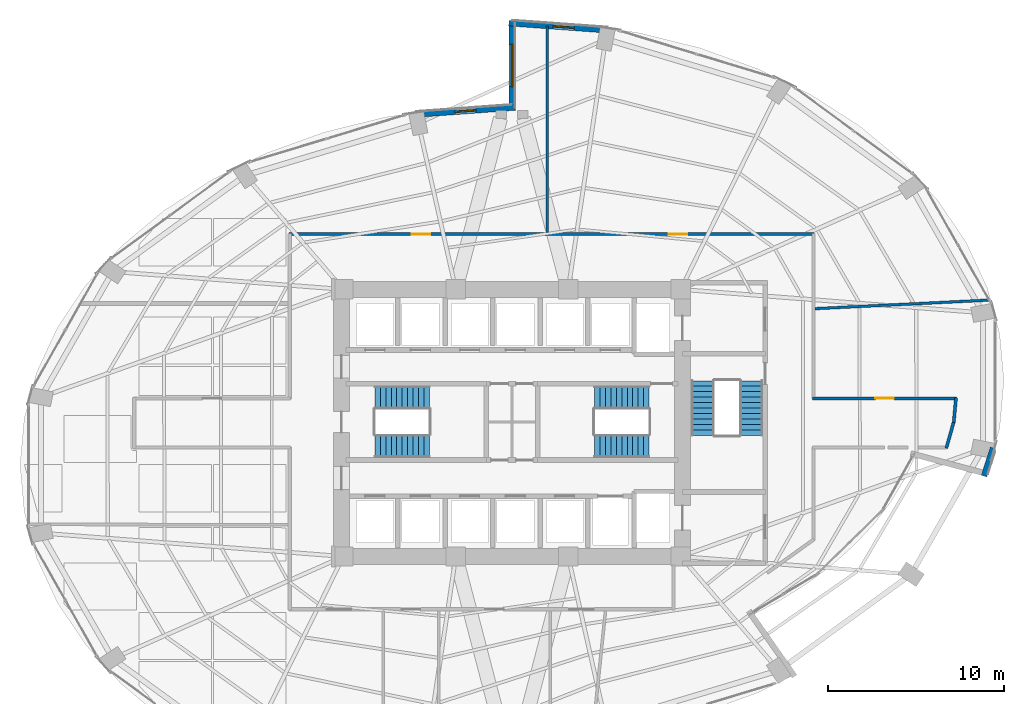
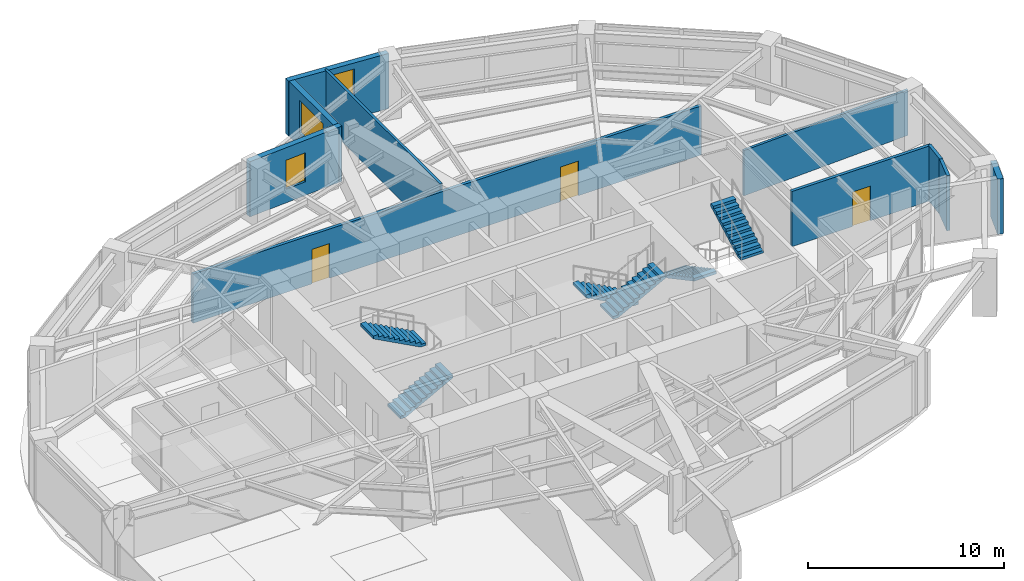
# One storey, part 22 of 24: 10 walls, 6 stair flights, 3 doors, 3 windows, 6 openings, 3 elements without a shape of their own.
"""IFC4 building model written with IfcOpenShell, lengths in metres."""

from ifc_helpers import new_model, si_unit, direction, frame, frame_2d, origin, place, context, subcontext, project, spatial, polyline, rectangle, outline, extrude, material, layer, layer_set, type_object, element, fill, aggregate, save


model = new_model("IFC4")

# Units and contexts
model_context = context("Model", 3, precision=1e-05, world=origin(), true_north=direction((0.0, 1.0)))
body_context = subcontext(model_context, "Body", "Model", "MODEL_VIEW")
ifc_project = project(units=[si_unit("LENGTHUNIT", "METRE"), si_unit("AREAUNIT", "SQUARE_METRE"), si_unit("VOLUMEUNIT", "CUBIC_METRE"), si_unit("PLANEANGLEUNIT", "RADIAN"), si_unit("MASSUNIT", "GRAM", prefix="KILO")], contexts=[model_context])

# Site, building, storey
site_placement = place(None, origin())
site = spatial("IfcSite", under=ifc_project, at=site_placement, CompositionType="ELEMENT")
building_placement = place(site_placement, origin())
building = spatial("IfcBuilding", under=site, at=building_placement, Name="Lazwardi Medical Tower", CompositionType="ELEMENT")
storey_placement = place(building_placement, frame((0.0, 0.0, 65.327880859375)))
storey = spatial("IfcBuildingStorey", under=building, at=storey_placement, Name="L16", CompositionType="ELEMENT", Elevation=65.327880859375)

# Wall, openings, doors
ifc_material_1 = material(Name="Fire-rated gypsum board on steel stud", Category="steel")
ifc_layer_1 = layer(ifc_material_1, 0.179931640625)
ifc_layer_set_1 = layer_set([ifc_layer_1], Name="Fire-rated gypsum board on steel stud")
wall_type_1 = type_object("IfcWallType", Name="WL-COR-180", PredefinedType="PARTITIONING", material=ifc_layer_set_1)
wall_1_placement = place(storey_placement, frame((23.31005859375, 38.75, 0.0), z_axis=(0.0, 0.0, 1.0), x_axis=(1.0, 0.0, 0.0)))
wall_1 = element("IfcWall", 1, at=wall_1_placement, inside=storey, type_object=wall_type_1, Name="L16 Corridor partition 4", PredefinedType="PARTITIONING", context=body_context, shape_type="SweptSolid", body=[
    extrude(rectangle(XDim=29.8798828125, YDim=0.179931640625, at=frame_2d((14.93994140625, 0.0))), origin(), (0.0, 0.0, 1.0), 3.05322265625),
])
opening_1_placement = place(wall_1_placement, frame((21.60107421875, 0.0, 0.0)))
opening_1 = element("IfcOpeningElement", 2, at=opening_1_placement, cuts=wall_1, Name="Opening D-L16-014", PredefinedType="OPENING", context=body_context, shape_type="SweptSolid", body=[
    extrude(rectangle(XDim=1.050048828125, YDim=2.14990234375, at=frame_2d((0.52490234375, 1.074951171875))), frame((0.0, 0.099853515625, 0.0), z_axis=(0.0, -1.0, 0.0), x_axis=(1.0, 0.0, 0.0)), (0.0, 0.0, 1.0), 0.199951171875),
])
opening_2_placement = place(wall_1_placement, frame((6.97900390625, 0.0, 0.0)))
opening_2 = element("IfcOpeningElement", 3, at=opening_2_placement, cuts=wall_1, Name="Opening D-L16-015", PredefinedType="OPENING", context=body_context, shape_type="SweptSolid", body=[
    extrude(rectangle(XDim=1.050048828125, YDim=2.14990234375, at=frame_2d((0.52490234375, 1.074951171875))), frame((0.0, 0.099853515625, 0.0), z_axis=(0.0, -1.0, 0.0), x_axis=(1.0, 0.0, 0.0)), (0.0, 0.0, 1.0), 0.199951171875),
])
ifc_material_2 = material(Name="Anti-microbial laminate hospital leaf")
door_type = type_object("IfcDoorType", Name="DR-CLN-1050", OperationType="NOTDEFINED", PredefinedType="DOOR", material=ifc_material_2)
door_1_placement = place(opening_1_placement, origin())
door_1 = element("IfcDoor", 4, at=door_1_placement, inside=storey, type_object=door_type, Name="L16 Clinical Specialist Office Door 06", OperationType="SINGLE_SWING_RIGHT", OverallHeight=2.14990234375, OverallWidth=1.050048828125, PredefinedType="DOOR", context=body_context, shape_type="SweptSolid", body=[
    extrude(rectangle(XDim=1.050048828125, YDim=2.14990234375, at=frame_2d((0.52490234375, 1.074951171875))), frame((0.0, 0.02490234375, 0.0), z_axis=(0.0, -1.0, 0.0), x_axis=(1.0, 0.0, 0.0)), (0.0, 0.0, 1.0), 0.050048828125),
])
fill(opening_1, door_1)
door_2_placement = place(opening_2_placement, origin())
door_2 = element("IfcDoor", 5, at=door_2_placement, inside=storey, type_object=door_type, Name="L16 Clinical Specialist Office Door 07", OperationType="SINGLE_SWING_LEFT", OverallHeight=2.14990234375, OverallWidth=1.050048828125, PredefinedType="DOOR", context=body_context, shape_type="SweptSolid", body=[
    extrude(rectangle(XDim=1.050048828125, YDim=2.14990234375, at=frame_2d((0.52490234375, 1.074951171875))), frame((0.0, 0.02490234375, 0.0), z_axis=(0.0, -1.0, 0.0), x_axis=(1.0, 0.0, 0.0)), (0.0, 0.0, 1.0), 0.050048828125),
])
fill(opening_2, door_2)

# Wall, opening, door
wall_2_placement = place(storey_placement, frame((53.110107421875, 29.39990234375, 0.0), z_axis=(0.0, 0.0, 1.0), x_axis=(1.0, 0.0, 0.0)))
wall_2 = element("IfcWall", 6, at=wall_2_placement, inside=storey, type_object=wall_type_1, Name="L16 Corridor partition 6", PredefinedType="PARTITIONING", context=body_context, shape_type="SweptSolid", body=[
    extrude(rectangle(XDim=8.19677734375, YDim=0.179931640625, at=frame_2d((4.098388671875, 0.0))), origin(), (0.0, 0.0, 1.0), 3.42822265625),
])
opening_3_placement = place(wall_2_placement, frame((3.573486328125, 0.0, 0.0)))
opening_3 = element("IfcOpeningElement", 7, at=opening_3_placement, cuts=wall_2, Name="Opening D-L16-013", PredefinedType="OPENING", context=body_context, shape_type="SweptSolid", body=[
    extrude(rectangle(XDim=1.050048828125, YDim=2.14990234375, at=frame_2d((0.52490234375, 1.074951171875))), frame((0.0, 0.099853515625, 0.0), z_axis=(0.0, -1.0, 0.0), x_axis=(1.0, 0.0, 0.0)), (0.0, 0.0, 1.0), 0.199951171875),
])
door_3_placement = place(opening_3_placement, origin())
door_3 = element("IfcDoor", 8, at=door_3_placement, inside=storey, type_object=door_type, Name="L16 Clinical Specialist Office Door 05", OperationType="SINGLE_SWING_LEFT", OverallHeight=2.14990234375, OverallWidth=1.050048828125, PredefinedType="DOOR", context=body_context, shape_type="SweptSolid", body=[
    extrude(rectangle(XDim=1.050048828125, YDim=2.14990234375, at=frame_2d((0.52490234375, 1.074951171875))), frame((0.0, 0.02490234375, 0.0), z_axis=(0.0, -1.0, 0.0), x_axis=(1.0, 0.0, 0.0)), (0.0, 0.0, 1.0), 0.050048828125),
])
fill(opening_3, door_3)

# Walls
wall_3_placement = place(storey_placement, frame((61.2705078125, 29.439697265625, 0.0), z_axis=(0.0, 0.0, 1.0), x_axis=(-0.092539930621, -0.995708974169, 0.0)))
element("IfcWall", 9, at=wall_3_placement, inside=storey, type_object=wall_type_1, Name="L16 Corridor partition 7", PredefinedType="PARTITIONING", context=body_context, shape_type="SweptSolid", body=[
    extrude(rectangle(XDim=1.416748046875, YDim=0.179931640625, at=frame_2d((0.70849609375, 0.0))), origin(), (0.0, 0.0, 1.0), 3.42822265625),
])
wall_4_placement = place(storey_placement, frame((61.15380859375, 28.107421875, 0.0), z_axis=(0.0, 0.0, 1.0), x_axis=(-0.271748942561, -0.962368179138, 0.0)))
element("IfcWall", 10, at=wall_4_placement, inside=storey, type_object=wall_type_1, Name="L16 Corridor partition 8", PredefinedType="PARTITIONING", context=body_context, shape_type="SweptSolid", body=[
    extrude(rectangle(XDim=1.6064453125, YDim=0.179931640625, at=frame_2d((0.80322265625, 0.0))), origin(), (0.0, 0.0, 1.0), 3.42822265625),
])

# Wall, opening, window
ifc_material_3 = material(Name="Precast concrete C45/55", Category="concrete")
ifc_layer_2 = layer(ifc_material_3, 0.320068359375)
ifc_layer_set_2 = layer_set([ifc_layer_2], Name="Precast concrete C45/55")
wall_type_2 = type_object("IfcWallType", Name="WL-IWAN-320", PredefinedType="SOLIDWALL", material=ifc_layer_set_2)
wall_5_placement = place(storey_placement, frame((41.481201171875, 50.345703125, 0.0), z_axis=(0.0, 0.0, 1.0), x_axis=(-0.997422321809, 0.071754525696, 0.0)))
wall_5 = element("IfcWall", 11, at=wall_5_placement, inside=storey, type_object=wall_type_2, Name="L16 Iwan Portal Return Wall NE_ret", PredefinedType="SOLIDWALL", context=body_context, shape_type="SweptSolid", body=[
    extrude(rectangle(XDim=5.67529296875, YDim=0.320068359375, at=frame_2d((2.837646484375, 0.0))), origin(), (0.0, 0.0, 1.0), 3.42822265625),
])
opening_4_placement = place(wall_5_placement, frame((1.94921875, 0.0, 0.85009765625)))
opening_4 = element("IfcOpeningElement", 12, at=opening_4_placement, cuts=wall_5, Name="Opening WN-01", PredefinedType="OPENING", context=body_context, shape_type="SweptSolid", body=[
    extrude(rectangle(XDim=1.199951171875, YDim=2.199951171875, at=frame_2d((0.60009765625, 1.10009765625))), frame((0.0, 0.169921875, 0.0), z_axis=(0.0, -1.0, 0.0), x_axis=(1.0, 0.0, 0.0)), (0.0, 0.0, 1.0), 0.340087890625),
])
ifc_material_4 = material(Name="Low-e bronze solar control double glazing", Category="glass")
window_type_1 = type_object("IfcWindowType", Name="WIN-IW-1200", PartitioningType="SINGLE_PANEL", PredefinedType="WINDOW", material=ifc_material_4)
window_1_placement = place(opening_4_placement, origin())
window_1 = element("IfcWindow", 13, at=window_1_placement, inside=storey, type_object=window_type_1, Name="L16 Iwan Slot Window NE_ret", OverallHeight=2.199951171875, OverallWidth=1.199951171875, PartitioningType="SINGLE_PANEL", PredefinedType="WINDOW", context=body_context, shape_type="SweptSolid", body=[
    extrude(rectangle(XDim=1.199951171875, YDim=2.199951171875, at=frame_2d((0.60009765625, 1.10009765625))), frame((0.0, 0.030029296875, 0.0), z_axis=(0.0, -1.0, 0.0), x_axis=(1.0, 0.0, 0.0)), (0.0, 0.0, 1.0), 0.06005859375),
])
fill(opening_4, window_1)

wall_6_placement = place(storey_placement, frame((36.178955078125, 45.952880859375, 0.0), z_axis=(0.0, 0.0, 1.0), x_axis=(-0.997421878774, -0.071760683825, 0.0)))
wall_6 = element("IfcWall", 14, at=wall_6_placement, inside=storey, type_object=wall_type_2, Name="L16 Iwan Portal Return Wall NW_ret", PredefinedType="SOLIDWALL", context=body_context, shape_type="SweptSolid", body=[
    extrude(rectangle(XDim=5.6748046875, YDim=0.320068359375, at=frame_2d((2.83740234375, 0.0))), origin(), (0.0, 0.0, 1.0), 3.42822265625),
])
opening_5_placement = place(wall_6_placement, frame((2.2373046875, 0.0, 0.85009765625)))
opening_5 = element("IfcOpeningElement", 15, at=opening_5_placement, cuts=wall_6, Name="Opening WN-04", PredefinedType="OPENING", context=body_context, shape_type="SweptSolid", body=[
    extrude(rectangle(XDim=1.199951171875, YDim=1.800048828125, at=frame_2d((0.60009765625, 0.89990234375))), frame((0.0, 0.169921875, 0.0), z_axis=(0.0, -1.0, 0.0), x_axis=(1.0, 0.0, 0.0)), (0.0, 0.0, 1.0), 0.340087890625),
])
window_type_2 = type_object("IfcWindowType", Name="WIN-DRUM-1200", PartitioningType="SINGLE_PANEL", PredefinedType="WINDOW", material=ifc_material_4)
window_2_placement = place(opening_5_placement, origin())
window_2 = element("IfcWindow", 16, at=window_2_placement, inside=storey, type_object=window_type_2, Name="L16 Iwan Slot Window NW_ret", OverallHeight=1.800048828125, OverallWidth=1.199951171875, PartitioningType="SINGLE_PANEL", PredefinedType="WINDOW", context=body_context, shape_type="SweptSolid", body=[
    extrude(rectangle(XDim=1.199951171875, YDim=1.800048828125, at=frame_2d((0.60009765625, 0.89990234375))), frame((0.0, 0.030029296875, 0.0), z_axis=(0.0, -1.0, 0.0), x_axis=(1.0, 0.0, 0.0)), (0.0, 0.0, 1.0), 0.06005859375),
])
fill(opening_5, window_2)

wall_7_placement = place(storey_placement, frame((36.0, 50.89990234375, 0.0), z_axis=(0.0, 0.0, 1.0), x_axis=(0.0, -1.0, 0.0)))
wall_7 = element("IfcWall", 17, at=wall_7_placement, inside=storey, type_object=wall_type_2, Name="L16 Turquoise Tilework Iwan Seam Wall N_seam", PredefinedType="SOLIDWALL", context=body_context, shape_type="SweptSolid", body=[
    extrude(rectangle(XDim=5.119873046875, YDim=0.320068359375, at=frame_2d((2.56005859375, 0.0))), origin(), (0.0, 0.0, 1.0), 3.42822265625),
])
opening_6_placement = place(wall_7_placement, frame((1.360107421875, 0.0, 0.840087890625)))
opening_6 = element("IfcOpeningElement", 18, at=opening_6_placement, cuts=wall_7, Name="Opening WN-02", PredefinedType="OPENING", context=body_context, shape_type="SweptSolid", body=[
    extrude(rectangle(XDim=2.39990234375, YDim=2.0400390625, at=frame_2d((1.199951171875, 1.02001953125))), frame((0.0, 0.169921875, 0.0), z_axis=(0.0, -1.0, 0.0), x_axis=(1.0, 0.0, 0.0)), (0.0, 0.0, 1.0), 0.340087890625),
])
window_type_3 = type_object("IfcWindowType", Name="WIN-IW-2400", PartitioningType="SINGLE_PANEL", PredefinedType="WINDOW", material=ifc_material_4)
window_3_placement = place(opening_6_placement, origin())
window_3 = element("IfcWindow", 19, at=window_3_placement, inside=storey, type_object=window_type_3, Name="L16 Iwan Seam Window N_seam", OverallHeight=2.0400390625, OverallWidth=2.39990234375, PartitioningType="SINGLE_PANEL", PredefinedType="WINDOW", context=body_context, shape_type="SweptSolid", body=[
    extrude(rectangle(XDim=2.39990234375, YDim=2.0400390625, at=frame_2d((1.199951171875, 1.02001953125))), frame((0.0, 0.030029296875, 0.0), z_axis=(0.0, -1.0, 0.0), x_axis=(1.0, 0.0, 0.0)), (0.0, 0.0, 1.0), 0.06005859375),
])
fill(opening_6, window_3)

# Walls
wall_8_placement = place(storey_placement, frame((62.862060546875, 24.97802734375, 0.0), z_axis=(0.0, 0.0, 1.0), x_axis=(0.303964491771, 0.952683361743, 0.0)))
element("IfcWall", 20, at=wall_8_placement, inside=storey, type_object=wall_type_2, Name="L16 Sky Garden SG1 Jamb Return Wall", PredefinedType="SOLIDWALL", context=body_context, shape_type="SweptSolid", body=[
    extrude(rectangle(XDim=1.681884765625, YDim=0.320068359375, at=frame_2d((0.8408203125, 0.0))), origin(), (0.0, 0.0, 1.0), 3.42822265625),
])
ifc_material_5 = material(Name="Acoustic gypsum board partition")
ifc_layer_3 = layer(ifc_material_5, 0.14990234375)
ifc_layer_set_3 = layer_set([ifc_layer_3], Name="Acoustic gypsum board partition")
wall_type_3 = type_object("IfcWallType", Name="WL-WRD-150", PredefinedType="PARTITIONING", material=ifc_layer_set_3)
wall_9_placement = place(storey_placement, frame((53.239990234375, 34.503662109375, 0.0), z_axis=(0.0, 0.0, 1.0), x_axis=(0.998798003682, 0.049015791742, 0.0)))
element("IfcWall", 21, at=wall_9_placement, inside=storey, type_object=wall_type_3, Name="L16 Room partition 3", PredefinedType="PARTITIONING", context=body_context, shape_type="SweptSolid", body=[
    extrude(rectangle(XDim=9.94677734375, YDim=0.14990234375, at=frame_2d((4.973388671875, 0.0))), origin(), (0.0, 0.0, 1.0), 2.813232421875),
])
wall_10_placement = place(storey_placement, frame((38.0, 38.840087890625, 0.0), z_axis=(0.0, 0.0, 1.0), x_axis=(0.0, 1.0, 0.0)))
element("IfcWall", 22, at=wall_10_placement, inside=storey, type_object=wall_type_3, Name="L16 Room partition 4", PredefinedType="PARTITIONING", context=body_context, shape_type="SweptSolid", body=[
    extrude(rectangle(XDim=11.743408203125, YDim=0.14990234375, at=frame_2d((5.87158203125, 0.0))), origin(), (0.0, 0.0, 1.0), 3.42822265625),
])

# Stair, stair flights
ifc_material_6 = material(Name="Concrete C45/55", Category="concrete")
stair_type = type_object("IfcStairType", Name="STR-WRD", PredefinedType="HALF_TURN_STAIR", material=ifc_material_6)
stair_1_placement = place(storey_placement, origin())
stair_1 = element("IfcStair", 23, at=stair_1_placement, inside=storey, type_object=stair_type, Name="L16 Protected Exit Stair ST1", PredefinedType="HALF_TURN_STAIR")
stair_flight_type = type_object("IfcStairFlightType", Name="FLT-WRD", PredefinedType="STRAIGHT", material=ifc_material_6)
stair_flight_1_placement = place(storey_placement, frame((28.199951171875, 26.679931640625, 0.0), z_axis=(0.0, 0.0, 1.0), x_axis=(1.0, 0.0, 0.0)))
stair_flight_1 = element("IfcStairFlight", 24, at=stair_flight_1_placement, type_object=stair_flight_type, Name="ST1 flight 1", NumberOfRisers=11, NumberOfTreads=10, PredefinedType="STRAIGHT", RiserHeight=0.165818182, TreadLength=0.31, context=body_context, shape_type="SweptSolid", body=[
    extrude(outline(polyline([(0.0, 0.0), (0.0, 0.165771484375), (0.31005859375, 0.165771484375), (0.31005859375, 0.33154296875), (0.6201171875, 0.33154296875), (0.6201171875, 0.49755859375), (0.929931640625, 0.49755859375), (0.929931640625, 0.663330078125), (1.239990234375, 0.663330078125), (1.239990234375, 0.8291015625), (1.550048828125, 0.8291015625), (1.550048828125, 0.994873046875), (1.860107421875, 0.994873046875), (1.860107421875, 1.16064453125), (2.169921875, 1.16064453125), (2.169921875, 1.32666015625), (2.47998046875, 1.32666015625), (2.47998046875, 1.492431640625), (2.7900390625, 1.492431640625), (2.7900390625, 1.658203125), (3.10009765625, 1.658203125), (3.10009765625, 1.823974609375), (3.10009765625, 1.48828125), (0.31787109375, 0.0), (0.0, 0.0)])), frame((0.0, 0.66015625, 0.0), z_axis=(0.0, -1.0, 0.0), x_axis=(1.0, 0.0, 0.0)), (0.0, 0.0, 1.0), 1.320068359375),
])
stair_flight_2_placement = place(storey_placement, frame((31.300048828125, 29.43994140625, 1.82421875), z_axis=(0.0, 0.0, 1.0), x_axis=(-1.0, 0.0, 0.0)))
stair_flight_2 = element("IfcStairFlight", 25, at=stair_flight_2_placement, type_object=stair_flight_type, Name="ST1 flight 2", NumberOfRisers=11, NumberOfTreads=10, PredefinedType="STRAIGHT", RiserHeight=0.165818182, TreadLength=0.31, context=body_context, shape_type="SweptSolid", body=[
    extrude(outline(polyline([(0.0, 0.0), (0.0, 0.165771484375), (0.31005859375, 0.165771484375), (0.31005859375, 0.33154296875), (0.6201171875, 0.33154296875), (0.6201171875, 0.49755859375), (0.929931640625, 0.49755859375), (0.929931640625, 0.663330078125), (1.239990234375, 0.663330078125), (1.239990234375, 0.8291015625), (1.550048828125, 0.8291015625), (1.550048828125, 0.994873046875), (1.860107421875, 0.994873046875), (1.860107421875, 1.16064453125), (2.169921875, 1.16064453125), (2.169921875, 1.32666015625), (2.47998046875, 1.32666015625), (2.47998046875, 1.492431640625), (2.7900390625, 1.492431640625), (2.7900390625, 1.658203125), (3.10009765625, 1.658203125), (3.10009765625, 1.823974609375), (3.10009765625, 1.48828125), (0.31787109375, 0.0), (0.0, 0.0)])), frame((0.0, 0.66015625, 0.0), z_axis=(0.0, -1.0, 0.0), x_axis=(1.0, 0.0, 0.0)), (0.0, 0.0, 1.0), 1.320068359375),
])
aggregate(stair_1, [stair_flight_1, stair_flight_2])

stair_2_placement = place(storey_placement, origin())
stair_2 = element("IfcStair", 26, at=stair_2_placement, inside=storey, type_object=stair_type, Name="L16 Protected Exit Stair ST2", PredefinedType="HALF_TURN_STAIR")
stair_flight_3_placement = place(storey_placement, frame((43.800048828125, 29.43994140625, 0.0), z_axis=(0.0, 0.0, 1.0), x_axis=(-1.0, 0.0, 0.0)))
stair_flight_3 = element("IfcStairFlight", 27, at=stair_flight_3_placement, type_object=stair_flight_type, Name="ST2 flight 1", NumberOfRisers=11, NumberOfTreads=10, PredefinedType="STRAIGHT", RiserHeight=0.165818182, TreadLength=0.31, context=body_context, shape_type="SweptSolid", body=[
    extrude(outline(polyline([(0.0, 0.0), (0.0, 0.165771484375), (0.31005859375, 0.165771484375), (0.31005859375, 0.33154296875), (0.6201171875, 0.33154296875), (0.6201171875, 0.49755859375), (0.929931640625, 0.49755859375), (0.929931640625, 0.663330078125), (1.239990234375, 0.663330078125), (1.239990234375, 0.8291015625), (1.550048828125, 0.8291015625), (1.550048828125, 0.994873046875), (1.860107421875, 0.994873046875), (1.860107421875, 1.16064453125), (2.169921875, 1.16064453125), (2.169921875, 1.32666015625), (2.47998046875, 1.32666015625), (2.47998046875, 1.492431640625), (2.7900390625, 1.492431640625), (2.7900390625, 1.658203125), (3.10009765625, 1.658203125), (3.10009765625, 1.823974609375), (3.10009765625, 1.48828125), (0.31787109375, 0.0), (0.0, 0.0)])), frame((0.0, 0.66015625, 0.0), z_axis=(0.0, -1.0, 0.0), x_axis=(1.0, 0.0, 0.0)), (0.0, 0.0, 1.0), 1.320068359375),
])
stair_flight_4_placement = place(storey_placement, frame((40.699951171875, 26.679931640625, 1.82421875), z_axis=(0.0, 0.0, 1.0), x_axis=(1.0, 0.0, 0.0)))
stair_flight_4 = element("IfcStairFlight", 28, at=stair_flight_4_placement, type_object=stair_flight_type, Name="ST2 flight 2", NumberOfRisers=11, NumberOfTreads=10, PredefinedType="STRAIGHT", RiserHeight=0.165818182, TreadLength=0.31, context=body_context, shape_type="SweptSolid", body=[
    extrude(outline(polyline([(0.0, 0.0), (0.0, 0.165771484375), (0.31005859375, 0.165771484375), (0.31005859375, 0.33154296875), (0.6201171875, 0.33154296875), (0.6201171875, 0.49755859375), (0.929931640625, 0.49755859375), (0.929931640625, 0.663330078125), (1.239990234375, 0.663330078125), (1.239990234375, 0.8291015625), (1.550048828125, 0.8291015625), (1.550048828125, 0.994873046875), (1.860107421875, 0.994873046875), (1.860107421875, 1.16064453125), (2.169921875, 1.16064453125), (2.169921875, 1.32666015625), (2.47998046875, 1.32666015625), (2.47998046875, 1.492431640625), (2.7900390625, 1.492431640625), (2.7900390625, 1.658203125), (3.10009765625, 1.658203125), (3.10009765625, 1.823974609375), (3.10009765625, 1.48828125), (0.31787109375, 0.0), (0.0, 0.0)])), frame((0.0, 0.66015625, 0.0), z_axis=(0.0, -1.0, 0.0), x_axis=(1.0, 0.0, 0.0)), (0.0, 0.0, 1.0), 1.320068359375),
])
aggregate(stair_2, [stair_flight_3, stair_flight_4])

stair_3_placement = place(storey_placement, origin())
stair_3 = element("IfcStair", 29, at=stair_3_placement, inside=storey, type_object=stair_type, Name="L16 Protected Exit Stair ST3", PredefinedType="HALF_TURN_STAIR")
stair_flight_5_placement = place(storey_placement, frame((46.860107421875, 30.39990234375, 0.0), z_axis=(0.0, 0.0, 1.0), x_axis=(0.0, -1.0, 0.0)))
stair_flight_5 = element("IfcStairFlight", 30, at=stair_flight_5_placement, type_object=stair_flight_type, Name="ST3 flight 1", NumberOfRisers=11, NumberOfTreads=10, PredefinedType="STRAIGHT", RiserHeight=0.165818182, TreadLength=0.31, context=body_context, shape_type="SweptSolid", body=[
    extrude(outline(polyline([(0.0, 0.0), (0.0, 0.165771484375), (0.31005859375, 0.165771484375), (0.31005859375, 0.33154296875), (0.6201171875, 0.33154296875), (0.6201171875, 0.49755859375), (0.929931640625, 0.49755859375), (0.929931640625, 0.663330078125), (1.239990234375, 0.663330078125), (1.239990234375, 0.8291015625), (1.550048828125, 0.8291015625), (1.550048828125, 0.994873046875), (1.860107421875, 0.994873046875), (1.860107421875, 1.16064453125), (2.169921875, 1.16064453125), (2.169921875, 1.32666015625), (2.47998046875, 1.32666015625), (2.47998046875, 1.492431640625), (2.7900390625, 1.492431640625), (2.7900390625, 1.658203125), (3.10009765625, 1.658203125), (3.10009765625, 1.823974609375), (3.10009765625, 1.48828125), (0.31787109375, 0.0), (0.0, 0.0)])), frame((0.0, 0.66015625, 0.0), z_axis=(0.0, -1.0, 0.0), x_axis=(1.0, 0.0, 0.0)), (0.0, 0.0, 1.0), 1.320068359375),
])
stair_flight_6_placement = place(storey_placement, frame((49.6201171875, 27.300048828125, 1.82421875), z_axis=(0.0, 0.0, 1.0), x_axis=(0.0, 1.0, 0.0)))
stair_flight_6 = element("IfcStairFlight", 31, at=stair_flight_6_placement, type_object=stair_flight_type, Name="ST3 flight 2", NumberOfRisers=11, NumberOfTreads=10, PredefinedType="STRAIGHT", RiserHeight=0.165818182, TreadLength=0.31, context=body_context, shape_type="SweptSolid", body=[
    extrude(outline(polyline([(0.0, 0.0), (0.0, 0.165771484375), (0.31005859375, 0.165771484375), (0.31005859375, 0.33154296875), (0.6201171875, 0.33154296875), (0.6201171875, 0.49755859375), (0.929931640625, 0.49755859375), (0.929931640625, 0.663330078125), (1.239990234375, 0.663330078125), (1.239990234375, 0.8291015625), (1.550048828125, 0.8291015625), (1.550048828125, 0.994873046875), (1.860107421875, 0.994873046875), (1.860107421875, 1.16064453125), (2.169921875, 1.16064453125), (2.169921875, 1.32666015625), (2.47998046875, 1.32666015625), (2.47998046875, 1.492431640625), (2.7900390625, 1.492431640625), (2.7900390625, 1.658203125), (3.10009765625, 1.658203125), (3.10009765625, 1.823974609375), (3.10009765625, 1.48828125), (0.31787109375, 0.0), (0.0, 0.0)])), frame((0.0, 0.66015625, 0.0), z_axis=(0.0, -1.0, 0.0), x_axis=(1.0, 0.0, 0.0)), (0.0, 0.0, 1.0), 1.320068359375),
])
aggregate(stair_3, [stair_flight_5, stair_flight_6])

save(model, "model.ifc")
